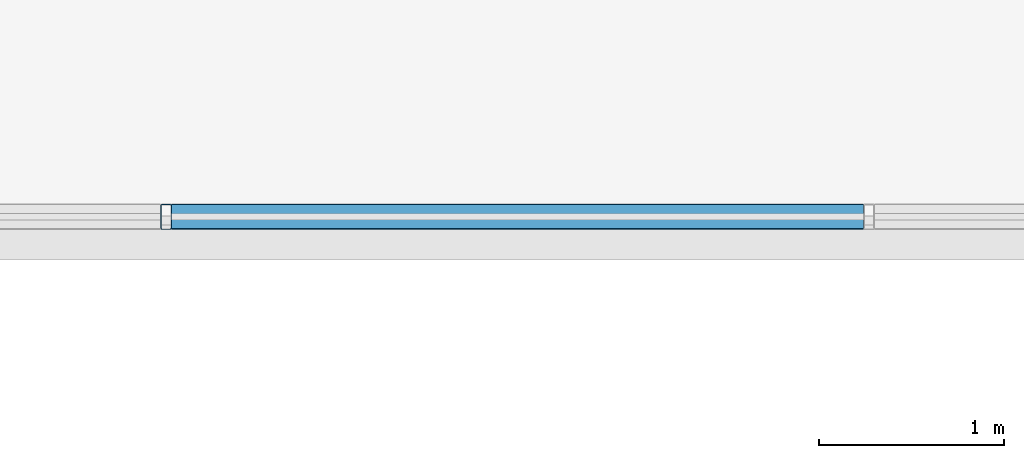
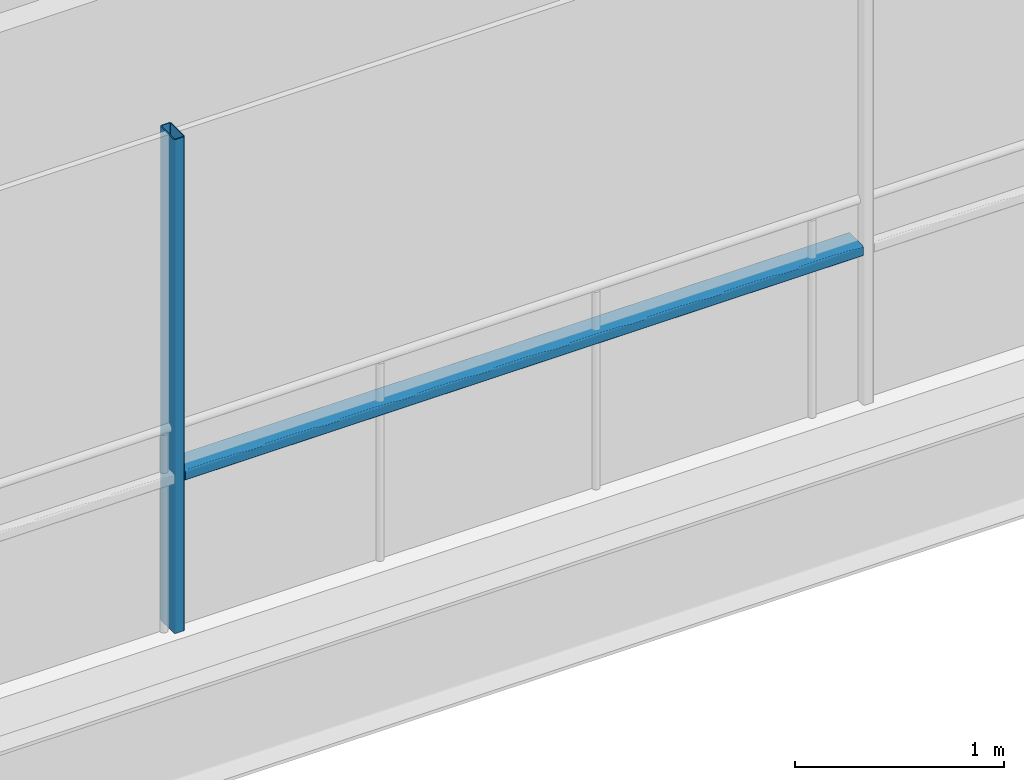
# One storey, part 11 of 41: 2 members, 1 element without a shape of its own.
"""IFC4 building model written with IfcOpenShell, lengths in metres."""

from ifc_helpers import new_model, si_unit, direction, frame, origin, origin_2d, place, context, subcontext, project, spatial, hollow_rectangle, extrude, material, layer, layer_set, material_profile, profile_set, type_object, element, aggregate, save


model = new_model("IFC4")

# Units and contexts
model_context = context("Model", 3, precision=1e-05, world=origin(), true_north=direction((0.0, 1.0)))
body_context = subcontext(model_context, "Body", "Model", "MODEL_VIEW")
ifc_project = project(units=[si_unit("LENGTHUNIT", "METRE"), si_unit("AREAUNIT", "SQUARE_METRE"), si_unit("VOLUMEUNIT", "CUBIC_METRE"), si_unit("PLANEANGLEUNIT", "RADIAN"), si_unit("MASSUNIT", "GRAM", prefix="KILO")], contexts=[model_context])

# Site, building, storey
site_placement = place(None, origin())
site = spatial("IfcSite", under=ifc_project, at=site_placement, CompositionType="ELEMENT")
building_placement = place(site_placement, origin())
building = spatial("IfcBuilding", under=site, at=building_placement, Name="Brevholm Reach", CompositionType="ELEMENT")
storey_placement = place(building_placement, frame((0.0, 0.0, 100.39990234375)))
storey = spatial("IfcBuildingStorey", under=building, at=storey_placement, Name="L29", CompositionType="ELEMENT", Elevation=100.39990234375)

# Curtain wall, members
ifc_material_1 = material(Name="Dark Anodised Aluminium 6063-T6 and Solar-Control Glass", Category="aluminium")
ifc_layer = layer(ifc_material_1, 0.139892578125)
ifc_layer_set = layer_set([ifc_layer], Name="Dark Anodised Aluminium 6063-T6 and Solar-Control Glass")
curtain_wall_type = type_object("IfcCurtainWallType", Name="CW-02", PredefinedType="NOTDEFINED", material=ifc_layer_set)
curtain_wall_placement = place(storey_placement, origin())
curtain_wall = element("IfcCurtainWall", 1, at=curtain_wall_placement, inside=storey, type_object=curtain_wall_type, Name="L29 Curtain Wall CW-02", PredefinedType="NOTDEFINED")
ifc_material_2 = material(Name="Dark Anodised Aluminium 6063-T6", Category="aluminium")
ifc_material_profile_1 = material_profile(ifc_material_2, hollow_rectangle(XDim=0.06005859375, YDim=0.139892578125, WallThickness=0.0048828125, InnerFilletRadius=0.0048828125, OuterFilletRadius=0.010009765625, at=origin_2d()), Name="RHS 140x60x5")
ifc_profile_set_1 = profile_set([ifc_material_profile_1], Name="Dark Anodised Aluminium 6063-T6")
member_type_1 = type_object("IfcMemberType", Name="CWM-140", PredefinedType="MULLION", material=ifc_profile_set_1)
member_1_placement = place(storey_placement, frame((30.050048828125, 26.6201171875, 0.0), z_axis=(0.0, 0.0, 1.0), x_axis=(-1.0, 0.0, 0.0)))
member_1 = element("IfcMember", 2, at=member_1_placement, type_object=member_type_1, Name="CM-140 Mullion 3", PredefinedType="MULLION", context=body_context, shape_type="SweptSolid", body=[
    extrude(hollow_rectangle(XDim=0.06005859375, YDim=0.139892578125, WallThickness=0.0048828125, InnerFilletRadius=0.0048828125, OuterFilletRadius=0.010009765625, at=origin_2d()), origin(), (0.0, 0.0, 1.0), 2.880126953125),
])
ifc_material_3 = material(Name="Dark Anodised Aluminium 6063-T6", Category="aluminium")
ifc_material_profile_2 = material_profile(ifc_material_3, hollow_rectangle(XDim=0.06005859375, YDim=0.139892578125, WallThickness=0.0048828125, InnerFilletRadius=0.0048828125, OuterFilletRadius=0.010009765625, at=origin_2d()), Name="RHS 140x60x5")
ifc_profile_set_2 = profile_set([ifc_material_profile_2], Name="Dark Anodised Aluminium 6063-T6")
member_type_2 = type_object("IfcMemberType", Name="CWT-140", PredefinedType="NOTDEFINED", material=ifc_profile_set_2)
member_2_placement = place(storey_placement, frame((33.820068359375, 26.6201171875, 0.900146484375), z_axis=(-1.0, 0.0, 0.0), x_axis=(0.0, 0.0, 1.0)))
member_2 = element("IfcMember", 3, at=member_2_placement, type_object=member_type_2, Name="CT-140 Transom 2.1", ObjectType="TRANSOM", PredefinedType="USERDEFINED", context=body_context, shape_type="SweptSolid", body=[
    extrude(hollow_rectangle(XDim=0.06005859375, YDim=0.139892578125, WallThickness=0.0048828125, InnerFilletRadius=0.0048828125, OuterFilletRadius=0.010009765625, at=origin_2d()), origin(), (0.0, 0.0, 1.0), 3.739990234375),
])
aggregate(curtain_wall, [member_1, member_2])

save(model, "model.ifc")
